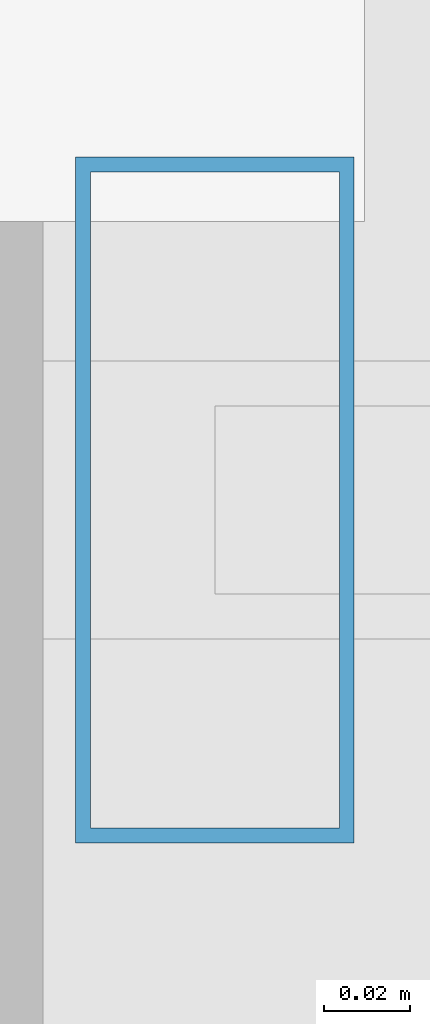
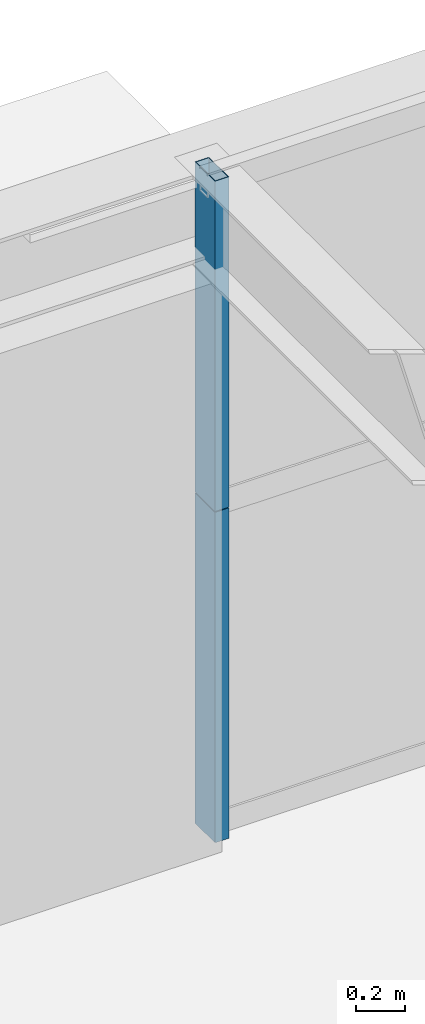
# One storey, part 24 of 36: 2 members, 1 element without a shape of its own.
"""IFC4 building model written with IfcOpenShell, lengths in metres."""

from ifc_helpers import new_model, si_unit, direction, frame, origin, origin_2d, place, context, subcontext, project, spatial, hollow_rectangle, extrude, source, transform, mapped, material, layer, layer_set, material_profile, profile_set, type_object, element, aggregate, save


model = new_model("IFC4")

# Units and contexts
model_context = context("Model", 3, precision=1e-05, world=origin(), true_north=direction((0.0, 1.0)))
body_context = subcontext(model_context, "Body", "Model", "MODEL_VIEW")
ifc_project = project(units=[si_unit("LENGTHUNIT", "METRE"), si_unit("AREAUNIT", "SQUARE_METRE"), si_unit("VOLUMEUNIT", "CUBIC_METRE"), si_unit("PLANEANGLEUNIT", "RADIAN"), si_unit("MASSUNIT", "GRAM", prefix="KILO"), si_unit("THERMODYNAMICTEMPERATUREUNIT", "KELVIN"), si_unit("POWERUNIT", "WATT")], contexts=[model_context])

# Site, building, storey
site_placement = place(None, origin())
site = spatial("IfcSite", under=ifc_project, at=site_placement, CompositionType="ELEMENT")
building_placement = place(site_placement, origin())
building = spatial("IfcBuilding", under=site, at=building_placement, Name="Yuzanri Waterfront Tower", CompositionType="ELEMENT")
storey_placement = place(building_placement, frame((0.0, 0.0, 238.10009765625)))
storey = spatial("IfcBuildingStorey", under=building, at=storey_placement, Name="L63", CompositionType="ELEMENT", Elevation=238.10009765625)

# Curtain wall, members
ifc_material_1 = material(Name="Anodized Architectural Bronze", Category="metal")
ifc_layer = layer(ifc_material_1, 0.159912109375)
ifc_layer_set = layer_set([ifc_layer], Name="Anodized Architectural Bronze")
curtain_wall_type = type_object("IfcCurtainWallType", Name="Anodized Bronze Mid-Rise Residential Acoustic Unitized Curtain Wall 7200", PredefinedType="NOTDEFINED", material=ifc_layer_set)
curtain_wall_placement = place(storey_placement, origin())
curtain_wall = element("IfcCurtainWall", 1, at=curtain_wall_placement, inside=storey, type_object=curtain_wall_type, Name="L63 Curtain Wall CW-L63-NL", PredefinedType="NOTDEFINED")
ifc_material_2 = material(Name="Anodized Architectural Bronze", Category="metal")
ifc_material_profile = material_profile(ifc_material_2, hollow_rectangle(XDim=0.06494140625, YDim=0.159912109375, WallThickness=0.00341796875, at=origin_2d()), Name="CWM 65x160")
ifc_profile_set = profile_set([ifc_material_profile], Name="Anodized Architectural Bronze")
member_type = type_object("IfcMemberType", Name="Anodized Bronze Upper-Zone Curtain-Wall Mullion 65x160", PredefinedType="MULLION", material=ifc_profile_set)
shared_shape = source(origin(), body_context, "Body", "SweptSolid", [
    extrude(hollow_rectangle(XDim=0.06494140625, YDim=0.159912109375, WallThickness=0.00341796875, at=origin_2d()), origin(), (0.0, 0.0, 1.0), 1.637939453125),
])
member_1_placement = place(storey_placement, frame((23.7900390625, 46.25, 0.0), z_axis=(0.0, 0.0, 1.0), x_axis=(1.0, 0.0, 0.0)))
member_1 = element("IfcMember", 2, at=member_1_placement, type_object=member_type, Name="CW-L63-NL Lower Mullion 00", PredefinedType="MULLION", context=body_context, shape_type="MappedRepresentation", body=[
    mapped(shared_shape, transform((0.0, 0.0, 0.0), scale=1.0)),
])
member_2_placement = place(storey_placement, frame((23.7900390625, 46.25, 1.641845703125), z_axis=(0.0, 0.0, 1.0), x_axis=(1.0, 0.0, 0.0)))
member_2 = element("IfcMember", 3, at=member_2_placement, type_object=member_type, Name="CW-L63-NL Upper Mullion 00", PredefinedType="MULLION", context=body_context, shape_type="MappedRepresentation", body=[
    mapped(shared_shape, transform((0.0, 0.0, 0.0), scale=1.0)),
])
aggregate(curtain_wall, [member_1, member_2])

save(model, "model.ifc")
